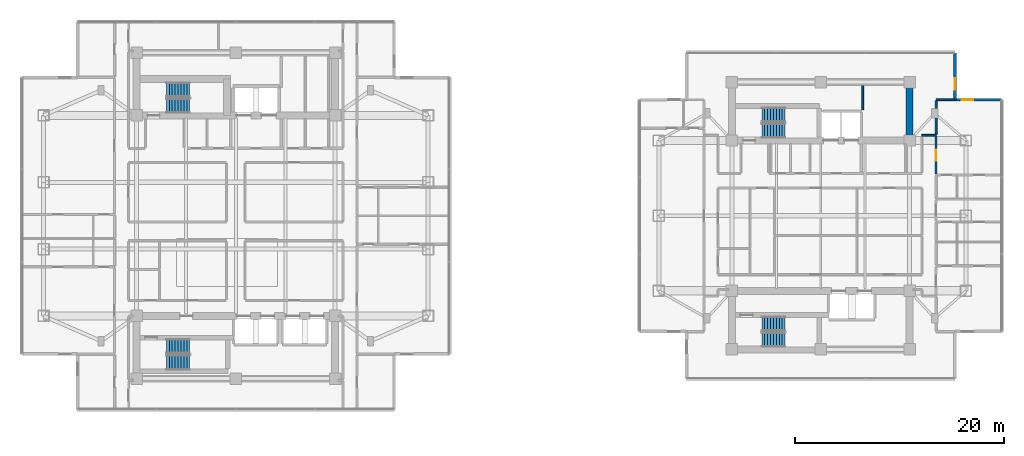
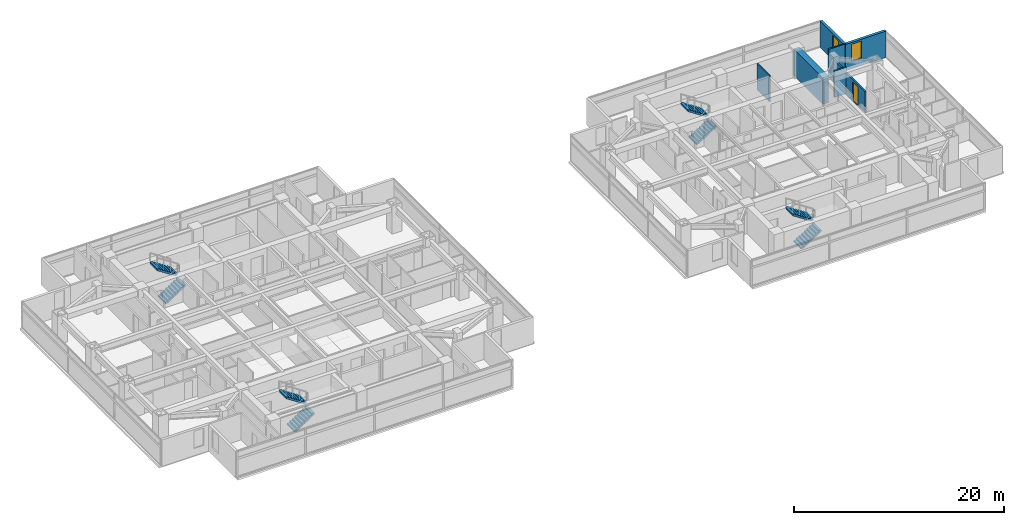
# One storey, part 20 of 27: 8 stair flights, 8 walls, 2 windows, 1 door, 3 openings, 4 elements without a shape of their own.
"""IFC4 building model written with IfcOpenShell, lengths in metres."""

from ifc_helpers import new_model, si_unit, direction, frame, frame_2d, origin, place, context, subcontext, project, spatial, polyline, rectangle, outline, extrude, material, layer, layer_set, type_object, element, fill, aggregate, save


model = new_model("IFC4")

# Units and contexts
model_context = context("Model", 3, precision=1e-05, world=origin(), true_north=direction((0.0, 1.0)))
body_context = subcontext(model_context, "Body", "Model", "MODEL_VIEW")
ifc_project = project(units=[si_unit("LENGTHUNIT", "METRE"), si_unit("AREAUNIT", "SQUARE_METRE"), si_unit("VOLUMEUNIT", "CUBIC_METRE"), si_unit("PLANEANGLEUNIT", "RADIAN"), si_unit("MASSUNIT", "GRAM", prefix="KILO")], contexts=[model_context])

# Site, building, storey
site_placement = place(None, origin())
site = spatial("IfcSite", under=ifc_project, at=site_placement, CompositionType="ELEMENT")
building_placement = place(site_placement, origin())
building = spatial("IfcBuilding", under=site, at=building_placement, Name="Mirazonda Arch Towers", CompositionType="ELEMENT")
storey_placement = place(building_placement, frame((0.0, 0.0, 124.699951171875)))
storey = spatial("IfcBuildingStorey", under=building, at=storey_placement, Name="L35", CompositionType="ELEMENT", Elevation=124.699951171875)

# Wall
ifc_material_1 = material(Name="Concrete C60/75", Category="concrete")
ifc_layer_1 = layer(ifc_material_1, 0.64990234375, Name="WALL-CORE-650")
ifc_layer_set_1 = layer_set([ifc_layer_1], Name="Concrete C60/75")
wall_type_1 = type_object("IfcWallType", Name="WALL-CORE-650", PredefinedType="SHEAR", material=ifc_layer_set_1)
wall_1_placement = place(storey_placement, frame((85.0, 35.199951171875, 0.0), z_axis=(0.0, 0.0, 1.0), x_axis=(0.0, 1.0, 0.0)))
element("IfcWall", 1, at=wall_1_placement, inside=storey, type_object=wall_type_1, Name="L35 T2N-E Core Shear Wall", PredefinedType="SHEAR", context=body_context, shape_type="SweptSolid", body=[
    extrude(rectangle(XDim=5.60009765625, YDim=0.64990234375, at=frame_2d((2.800048828125, 0.0))), origin(), (0.0, 0.0, 1.0), 3.080078125),
])

# Wall, opening, window
ifc_material_2 = material(Name="Precast Concrete C40/50", Category="concrete")
ifc_layer_2 = layer(ifc_material_2, 0.280029296875, Name="WALL-EXT-WALL-280")
ifc_layer_set_2 = layer_set([ifc_layer_2], Name="Precast Concrete C40/50")
wall_type_2 = type_object("IfcWallType", Name="WALL-EXT-WALL-280", PredefinedType="SOLIDWALL", material=ifc_layer_set_2)
wall_2_placement = place(storey_placement, frame((89.33447265625, 39.09912109375, 0.0), z_axis=(0.0, 0.0, 1.0), x_axis=(0.0, 1.0, 0.0)))
wall_2 = element("IfcWall", 2, at=wall_2_placement, inside=storey, type_object=wall_type_2, Name="L35 T2 Notched NE Corner Wall WL-L35-T2-CNE", PredefinedType="SOLIDWALL", context=body_context, shape_type="SweptSolid", body=[
    extrude(rectangle(XDim=4.486572265625, YDim=0.280029296875, at=frame_2d((2.2431640625, 0.0))), origin(), (0.0, 0.0, 1.0), 3.06005859375),
])
opening_1_placement = place(wall_2_placement, frame((0.949951171875, 0.0, 0.85009765625)))
opening_1 = element("IfcOpeningElement", 3, at=opening_1_placement, cuts=wall_2, Name="Opening WN-108", PredefinedType="OPENING", context=body_context, shape_type="SweptSolid", body=[
    extrude(rectangle(XDim=1.10009765625, YDim=2.0, at=frame_2d((0.550048828125, 1.0))), frame((0.0, 0.14990234375, 0.0), z_axis=(0.0, -1.0, 0.0), x_axis=(1.0, 0.0, 0.0)), (0.0, 0.0, 1.0), 0.300048828125),
])
ifc_material_3 = material(Name="Insulated Low-E Solar Glass", Category="glass")
window_type = type_object("IfcWindowType", Name="WIN-NOTCH-1100x2000", PartitioningType="SINGLE_PANEL", PredefinedType="WINDOW", material=ifc_material_3)
window_1_placement = place(opening_1_placement, origin())
window_1 = element("IfcWindow", 4, at=window_1_placement, inside=storey, type_object=window_type, Name="L35 Punched Facade Window WN-L35-T2-CNE", OverallHeight=2.0, OverallWidth=1.10009765625, PartitioningType="SINGLE_PANEL", PredefinedType="WINDOW", context=body_context, shape_type="SweptSolid", body=[
    extrude(rectangle(XDim=1.10009765625, YDim=2.0, at=frame_2d((0.550048828125, 1.0))), frame((0.0, 0.030029296875, 0.0), z_axis=(0.0, -1.0, 0.0), x_axis=(1.0, 0.0, 0.0)), (0.0, 0.0, 1.0), 0.06005859375),
])
fill(opening_1, window_1)

wall_3_placement = place(storey_placement, frame((93.821044921875, 39.09912109375, 0.0), z_axis=(0.0, 0.0, 1.0), x_axis=(-1.0, 0.0, 0.0)))
wall_3 = element("IfcWall", 5, at=wall_3_placement, inside=storey, type_object=wall_type_2, Name="L35 T2 Corner Notch Return Wall WL-L35-T2-CNE2", PredefinedType="SOLIDWALL", context=body_context, shape_type="SweptSolid", body=[
    extrude(rectangle(XDim=4.486572265625, YDim=0.280029296875, at=frame_2d((2.2431640625, 0.0))), origin(), (0.0, 0.0, 1.0), 3.06005859375),
])
opening_2_placement = place(wall_3_placement, frame((2.737060546875, 0.0, 0.85009765625)))
opening_2 = element("IfcOpeningElement", 6, at=opening_2_placement, cuts=wall_3, Name="Opening WN-108", PredefinedType="OPENING", context=body_context, shape_type="SweptSolid", body=[
    extrude(rectangle(XDim=1.10009765625, YDim=2.0, at=frame_2d((0.550048828125, 1.0))), frame((0.0, 0.14990234375, 0.0), z_axis=(0.0, -1.0, 0.0), x_axis=(1.0, 0.0, 0.0)), (0.0, 0.0, 1.0), 0.300048828125),
])
window_2_placement = place(opening_2_placement, origin())
window_2 = element("IfcWindow", 7, at=window_2_placement, inside=storey, type_object=window_type, Name="L35 Punched Facade Window WN-L35-T2-CNE2", OverallHeight=2.0, OverallWidth=1.10009765625, PartitioningType="SINGLE_PANEL", PredefinedType="WINDOW", context=body_context, shape_type="SweptSolid", body=[
    extrude(rectangle(XDim=1.10009765625, YDim=2.0, at=frame_2d((0.550048828125, 1.0))), frame((0.0, 0.030029296875, 0.0), z_axis=(0.0, -1.0, 0.0), x_axis=(1.0, 0.0, 0.0)), (0.0, 0.0, 1.0), 0.06005859375),
])
fill(opening_2, window_2)

# Walls
ifc_material_4 = material(Name="Fire-Rated Gypsum Stud Partition")
ifc_layer_3 = layer(ifc_material_4, 0.14990234375, Name="WALL-PART-CORR-150")
ifc_layer_set_3 = layer_set([ifc_layer_3], Name="Fire-Rated Gypsum Stud Partition")
wall_type_3 = type_object("IfcWallType", Name="WALL-PART-CORR-150", PredefinedType="PARTITIONING", material=ifc_layer_set_3)
wall_4_placement = place(storey_placement, frame((86.179931640625, 35.699951171875, 0.0), z_axis=(0.0, 0.0, 1.0), x_axis=(1.0, 0.0, 0.0)))
element("IfcWall", 8, at=wall_4_placement, inside=storey, type_object=wall_type_3, Name="L35 Interior Partition 048", PredefinedType="PARTITIONING", context=body_context, shape_type="SweptSolid", body=[
    extrude(rectangle(XDim=1.360107421875, YDim=0.14990234375, at=frame_2d((0.68017578125, 0.0))), origin(), (0.0, 0.0, 1.0), 3.080078125),
])
wall_5_placement = place(storey_placement, frame((87.5400390625, 39.09912109375, 0.0), z_axis=(0.0, 0.0, 1.0), x_axis=(1.0, 0.0, 0.0)))
element("IfcWall", 9, at=wall_5_placement, inside=storey, type_object=wall_type_3, Name="L35 Interior Partition 053", PredefinedType="PARTITIONING", context=body_context, shape_type="SweptSolid", body=[
    extrude(rectangle(XDim=1.7744140625, YDim=0.14990234375, at=frame_2d((0.88720703125, 0.0))), origin(), (0.0, 0.0, 1.0), 3.080078125),
])
wall_6_placement = place(storey_placement, frame((80.52001953125, 38.135009765625, 0.0), z_axis=(0.0, 0.0, 1.0), x_axis=(0.0, 1.0, 0.0)))
element("IfcWall", 10, at=wall_6_placement, inside=storey, type_object=wall_type_3, Name="L35 Interior Partition 138", PredefinedType="PARTITIONING", context=body_context, shape_type="SweptSolid", body=[
    extrude(rectangle(XDim=2.31494140625, YDim=0.14990234375, at=frame_2d((1.157470703125, 0.0))), origin(), (0.0, 0.0, 1.0), 3.080078125),
])

# Wall, opening, door
ifc_material_5 = material(Name="Fire-Rated Gypsum Twin-Stud Assembly")
ifc_layer_4 = layer(ifc_material_5, 0.179931640625, Name="WALL-PART-DEMISE-180")
ifc_layer_set_4 = layer_set([ifc_layer_4], Name="Fire-Rated Gypsum Twin-Stud Assembly")
wall_type_4 = type_object("IfcWallType", Name="WALL-PART-DEMISE-180", PredefinedType="PARTITIONING", material=ifc_layer_set_4)
wall_7_placement = place(storey_placement, frame((87.5400390625, 31.98095703125, 0.0), z_axis=(0.0, 0.0, 1.0), x_axis=(0.0, 1.0, 0.0)))
wall_7 = element("IfcWall", 11, at=wall_7_placement, inside=storey, type_object=wall_type_4, Name="L35 Interior Partition 151", PredefinedType="PARTITIONING", context=body_context, shape_type="SweptSolid", body=[
    extrude(rectangle(XDim=3.634033203125, YDim=0.179931640625, at=frame_2d((1.81689453125, 0.0))), origin(), (0.0, 0.0, 1.0), 2.47216796875),
])
opening_3_placement = place(wall_7_placement, frame((1.2919921875, 0.0, 0.0)))
opening_3 = element("IfcOpeningElement", 12, at=opening_3_placement, cuts=wall_7, Name="Opening DR-121", PredefinedType="OPENING", context=body_context, shape_type="SweptSolid", body=[
    extrude(rectangle(XDim=1.050048828125, YDim=2.199951171875, at=frame_2d((0.52490234375, 1.10009765625))), frame((0.0, 0.099853515625, 0.0), z_axis=(0.0, -1.0, 0.0), x_axis=(1.0, 0.0, 0.0)), (0.0, 0.0, 1.0), 0.199951171875),
])
ifc_material_6 = material(Name="Architectural Brushed Steel S355", Category="steel")
door_type = type_object("IfcDoorType", Name="DOOR-SUITE-FD60-1050", OperationType="NOTDEFINED", PredefinedType="DOOR", material=ifc_material_6)
door_placement = place(opening_3_placement, origin())
door = element("IfcDoor", 13, at=door_placement, inside=storey, type_object=door_type, Name="L35 King Hotel Guestroom 3 Door", OperationType="SINGLE_SWING_RIGHT", OverallHeight=2.199951171875, OverallWidth=1.050048828125, PredefinedType="DOOR", context=body_context, shape_type="SweptSolid", body=[
    extrude(rectangle(XDim=1.050048828125, YDim=2.199951171875, at=frame_2d((0.52490234375, 1.10009765625))), frame((0.0, 0.02490234375, 0.0), z_axis=(0.0, -1.0, 0.0), x_axis=(1.0, 0.0, 0.0)), (0.0, 0.0, 1.0), 0.050048828125),
])
fill(opening_3, door)

# Wall
wall_8_placement = place(storey_placement, frame((87.5400390625, 35.784912109375, 0.0), z_axis=(0.0, 0.0, 1.0), x_axis=(0.0, 1.0, 0.0)))
element("IfcWall", 14, at=wall_8_placement, inside=storey, type_object=wall_type_4, Name="L35 Interior Partition 152", PredefinedType="PARTITIONING", context=body_context, shape_type="SweptSolid", body=[
    extrude(rectangle(XDim=3.22900390625, YDim=0.179931640625, at=frame_2d((1.614501953125, 0.0))), origin(), (0.0, 0.0, 1.0), 2.52294921875),
])

# Stair, stair flights
ifc_material_7 = material(Name="Concrete C40/50", Category="concrete")
stair_type = type_object("IfcStairType", Name="STAIR-CORE-1400", PredefinedType="HALF_TURN_STAIR", material=ifc_material_7)
stair_1_placement = place(storey_placement, origin())
stair_1 = element("IfcStair", 15, at=stair_1_placement, inside=storey, type_object=stair_type, Name="L35 Protected Exit Stair ST-T1N", PredefinedType="HALF_TURN_STAIR")
stair_flight_type = type_object("IfcStairFlightType", Name="FLIGHT-1400", PredefinedType="STRAIGHT", material=ifc_material_7)
stair_flight_1_placement = place(storey_placement, frame((13.85009765625, 38.52001953125, 0.0), z_axis=(0.0, 0.0, 1.0), x_axis=(1.0, 0.0, 0.0)))
stair_flight_1 = element("IfcStairFlight", 16, at=stair_flight_1_placement, type_object=stair_flight_type, Name="ST-T1N flight 1", NumberOfRisers=9, NumberOfTreads=8, PredefinedType="STRAIGHT", RiserHeight=0.183333333, TreadLength=0.28, context=body_context, shape_type="SweptSolid", body=[
    extrude(outline(polyline([(0.0, 0.0), (0.0, 0.183349609375), (0.280029296875, 0.183349609375), (0.280029296875, 0.36669921875), (0.56005859375, 0.36669921875), (0.56005859375, 0.550048828125), (0.840087890625, 0.550048828125), (0.840087890625, 0.7333984375), (1.1201171875, 0.7333984375), (1.1201171875, 0.916748046875), (1.39990234375, 0.916748046875), (1.39990234375, 1.10009765625), (1.679931640625, 1.10009765625), (1.679931640625, 1.283447265625), (1.9599609375, 1.283447265625), (1.9599609375, 1.466552734375), (2.239990234375, 1.466552734375), (2.239990234375, 1.64990234375), (2.239990234375, 1.275634765625), (0.2919921875, 0.0), (0.0, 0.0)])), frame((0.0, 0.699951171875, 0.0), z_axis=(0.0, -1.0, 0.0), x_axis=(1.0, 0.0, 0.0)), (0.0, 0.0, 1.0), 1.39990234375),
])
stair_flight_2_placement = place(storey_placement, frame((16.090087890625, 40.06005859375, 1.650146484375), z_axis=(0.0, 0.0, 1.0), x_axis=(-1.0, 0.0, 0.0)))
stair_flight_2 = element("IfcStairFlight", 17, at=stair_flight_2_placement, type_object=stair_flight_type, Name="ST-T1N flight 2", NumberOfRisers=9, NumberOfTreads=8, PredefinedType="STRAIGHT", RiserHeight=0.183333333, TreadLength=0.28, context=body_context, shape_type="SweptSolid", body=[
    extrude(outline(polyline([(0.0, 0.0), (0.0, 0.183349609375), (0.280029296875, 0.183349609375), (0.280029296875, 0.36669921875), (0.56005859375, 0.36669921875), (0.56005859375, 0.550048828125), (0.840087890625, 0.550048828125), (0.840087890625, 0.7333984375), (1.1201171875, 0.7333984375), (1.1201171875, 0.916748046875), (1.39990234375, 0.916748046875), (1.39990234375, 1.10009765625), (1.679931640625, 1.10009765625), (1.679931640625, 1.283447265625), (1.9599609375, 1.283447265625), (1.9599609375, 1.466552734375), (2.239990234375, 1.466552734375), (2.239990234375, 1.64990234375), (2.239990234375, 1.275634765625), (0.2919921875, 0.0), (0.0, 0.0)])), frame((0.0, 0.699951171875, 0.0), z_axis=(0.0, -1.0, 0.0), x_axis=(1.0, 0.0, 0.0)), (0.0, 0.0, 1.0), 1.39990234375),
])
aggregate(stair_1, [stair_flight_1, stair_flight_2])

stair_2_placement = place(storey_placement, origin())
stair_2 = element("IfcStair", 18, at=stair_2_placement, inside=storey, type_object=stair_type, Name="L35 Protected Exit Stair ST-T1S", PredefinedType="HALF_TURN_STAIR")
stair_flight_3_placement = place(storey_placement, frame((13.85009765625, 13.949951171875, 0.0), z_axis=(0.0, 0.0, 1.0), x_axis=(1.0, 0.0, 0.0)))
stair_flight_3 = element("IfcStairFlight", 19, at=stair_flight_3_placement, type_object=stair_flight_type, Name="ST-T1S flight 1", NumberOfRisers=9, NumberOfTreads=8, PredefinedType="STRAIGHT", RiserHeight=0.183333333, TreadLength=0.28, context=body_context, shape_type="SweptSolid", body=[
    extrude(outline(polyline([(0.0, 0.0), (0.0, 0.183349609375), (0.280029296875, 0.183349609375), (0.280029296875, 0.36669921875), (0.56005859375, 0.36669921875), (0.56005859375, 0.550048828125), (0.840087890625, 0.550048828125), (0.840087890625, 0.7333984375), (1.1201171875, 0.7333984375), (1.1201171875, 0.916748046875), (1.39990234375, 0.916748046875), (1.39990234375, 1.10009765625), (1.679931640625, 1.10009765625), (1.679931640625, 1.283447265625), (1.9599609375, 1.283447265625), (1.9599609375, 1.466552734375), (2.239990234375, 1.466552734375), (2.239990234375, 1.64990234375), (2.239990234375, 1.275634765625), (0.2919921875, 0.0), (0.0, 0.0)])), frame((0.0, 0.699951171875, 0.0), z_axis=(0.0, -1.0, 0.0), x_axis=(1.0, 0.0, 0.0)), (0.0, 0.0, 1.0), 1.39990234375),
])
stair_flight_4_placement = place(storey_placement, frame((16.090087890625, 15.489990234375, 1.650146484375), z_axis=(0.0, 0.0, 1.0), x_axis=(-1.0, 0.0, 0.0)))
stair_flight_4 = element("IfcStairFlight", 20, at=stair_flight_4_placement, type_object=stair_flight_type, Name="ST-T1S flight 2", NumberOfRisers=9, NumberOfTreads=8, PredefinedType="STRAIGHT", RiserHeight=0.183333333, TreadLength=0.28, context=body_context, shape_type="SweptSolid", body=[
    extrude(outline(polyline([(0.0, 0.0), (0.0, 0.183349609375), (0.280029296875, 0.183349609375), (0.280029296875, 0.36669921875), (0.56005859375, 0.36669921875), (0.56005859375, 0.550048828125), (0.840087890625, 0.550048828125), (0.840087890625, 0.7333984375), (1.1201171875, 0.7333984375), (1.1201171875, 0.916748046875), (1.39990234375, 0.916748046875), (1.39990234375, 1.10009765625), (1.679931640625, 1.10009765625), (1.679931640625, 1.283447265625), (1.9599609375, 1.283447265625), (1.9599609375, 1.466552734375), (2.239990234375, 1.466552734375), (2.239990234375, 1.64990234375), (2.239990234375, 1.275634765625), (0.2919921875, 0.0), (0.0, 0.0)])), frame((0.0, 0.699951171875, 0.0), z_axis=(0.0, -1.0, 0.0), x_axis=(1.0, 0.0, 0.0)), (0.0, 0.0, 1.0), 1.39990234375),
])
aggregate(stair_2, [stair_flight_3, stair_flight_4])

stair_3_placement = place(storey_placement, origin())
stair_3 = element("IfcStair", 21, at=stair_3_placement, inside=storey, type_object=stair_type, Name="L35 Protected Exit Stair ST-T2N", PredefinedType="HALF_TURN_STAIR")
stair_flight_5_placement = place(storey_placement, frame((70.85009765625, 36.1201171875, 0.0), z_axis=(0.0, 0.0, 1.0), x_axis=(1.0, 0.0, 0.0)))
stair_flight_5 = element("IfcStairFlight", 22, at=stair_flight_5_placement, type_object=stair_flight_type, Name="ST-T2N flight 1", NumberOfRisers=9, NumberOfTreads=8, PredefinedType="STRAIGHT", RiserHeight=0.183333333, TreadLength=0.28, context=body_context, shape_type="SweptSolid", body=[
    extrude(outline(polyline([(0.0, 0.0), (0.0, 0.183349609375), (0.280029296875, 0.183349609375), (0.280029296875, 0.36669921875), (0.56005859375, 0.36669921875), (0.56005859375, 0.550048828125), (0.840087890625, 0.550048828125), (0.840087890625, 0.7333984375), (1.1201171875, 0.7333984375), (1.1201171875, 0.916748046875), (1.39990234375, 0.916748046875), (1.39990234375, 1.10009765625), (1.679931640625, 1.10009765625), (1.679931640625, 1.283447265625), (1.9599609375, 1.283447265625), (1.9599609375, 1.466552734375), (2.239990234375, 1.466552734375), (2.239990234375, 1.64990234375), (2.239990234375, 1.275634765625), (0.2919921875, 0.0), (0.0, 0.0)])), frame((0.0, 0.699951171875, 0.0), z_axis=(0.0, -1.0, 0.0), x_axis=(1.0, 0.0, 0.0)), (0.0, 0.0, 1.0), 1.39990234375),
])
stair_flight_6_placement = place(storey_placement, frame((73.090087890625, 37.659912109375, 1.650146484375), z_axis=(0.0, 0.0, 1.0), x_axis=(-1.0, 0.0, 0.0)))
stair_flight_6 = element("IfcStairFlight", 23, at=stair_flight_6_placement, type_object=stair_flight_type, Name="ST-T2N flight 2", NumberOfRisers=9, NumberOfTreads=8, PredefinedType="STRAIGHT", RiserHeight=0.183333333, TreadLength=0.28, context=body_context, shape_type="SweptSolid", body=[
    extrude(outline(polyline([(0.0, 0.0), (0.0, 0.183349609375), (0.280029296875, 0.183349609375), (0.280029296875, 0.36669921875), (0.56005859375, 0.36669921875), (0.56005859375, 0.550048828125), (0.840087890625, 0.550048828125), (0.840087890625, 0.7333984375), (1.1201171875, 0.7333984375), (1.1201171875, 0.916748046875), (1.39990234375, 0.916748046875), (1.39990234375, 1.10009765625), (1.679931640625, 1.10009765625), (1.679931640625, 1.283447265625), (1.9599609375, 1.283447265625), (1.9599609375, 1.466552734375), (2.239990234375, 1.466552734375), (2.239990234375, 1.64990234375), (2.239990234375, 1.275634765625), (0.2919921875, 0.0), (0.0, 0.0)])), frame((0.0, 0.699951171875, 0.0), z_axis=(0.0, -1.0, 0.0), x_axis=(1.0, 0.0, 0.0)), (0.0, 0.0, 1.0), 1.39990234375),
])
aggregate(stair_3, [stair_flight_5, stair_flight_6])

stair_4_placement = place(storey_placement, origin())
stair_4 = element("IfcStair", 24, at=stair_4_placement, inside=storey, type_object=stair_type, Name="L35 Protected Exit Stair ST-T2S", PredefinedType="HALF_TURN_STAIR")
stair_flight_7_placement = place(storey_placement, frame((70.85009765625, 16.1201171875, 0.0), z_axis=(0.0, 0.0, 1.0), x_axis=(1.0, 0.0, 0.0)))
stair_flight_7 = element("IfcStairFlight", 25, at=stair_flight_7_placement, type_object=stair_flight_type, Name="ST-T2S flight 1", NumberOfRisers=9, NumberOfTreads=8, PredefinedType="STRAIGHT", RiserHeight=0.183333333, TreadLength=0.28, context=body_context, shape_type="SweptSolid", body=[
    extrude(outline(polyline([(0.0, 0.0), (0.0, 0.183349609375), (0.280029296875, 0.183349609375), (0.280029296875, 0.36669921875), (0.56005859375, 0.36669921875), (0.56005859375, 0.550048828125), (0.840087890625, 0.550048828125), (0.840087890625, 0.7333984375), (1.1201171875, 0.7333984375), (1.1201171875, 0.916748046875), (1.39990234375, 0.916748046875), (1.39990234375, 1.10009765625), (1.679931640625, 1.10009765625), (1.679931640625, 1.283447265625), (1.9599609375, 1.283447265625), (1.9599609375, 1.466552734375), (2.239990234375, 1.466552734375), (2.239990234375, 1.64990234375), (2.239990234375, 1.275634765625), (0.2919921875, 0.0), (0.0, 0.0)])), frame((0.0, 0.699951171875, 0.0), z_axis=(0.0, -1.0, 0.0), x_axis=(1.0, 0.0, 0.0)), (0.0, 0.0, 1.0), 1.39990234375),
])
stair_flight_8_placement = place(storey_placement, frame((73.090087890625, 17.659912109375, 1.650146484375), z_axis=(0.0, 0.0, 1.0), x_axis=(-1.0, 0.0, 0.0)))
stair_flight_8 = element("IfcStairFlight", 26, at=stair_flight_8_placement, type_object=stair_flight_type, Name="ST-T2S flight 2", NumberOfRisers=9, NumberOfTreads=8, PredefinedType="STRAIGHT", RiserHeight=0.183333333, TreadLength=0.28, context=body_context, shape_type="SweptSolid", body=[
    extrude(outline(polyline([(0.0, 0.0), (0.0, 0.183349609375), (0.280029296875, 0.183349609375), (0.280029296875, 0.36669921875), (0.56005859375, 0.36669921875), (0.56005859375, 0.550048828125), (0.840087890625, 0.550048828125), (0.840087890625, 0.7333984375), (1.1201171875, 0.7333984375), (1.1201171875, 0.916748046875), (1.39990234375, 0.916748046875), (1.39990234375, 1.10009765625), (1.679931640625, 1.10009765625), (1.679931640625, 1.283447265625), (1.9599609375, 1.283447265625), (1.9599609375, 1.466552734375), (2.239990234375, 1.466552734375), (2.239990234375, 1.64990234375), (2.239990234375, 1.275634765625), (0.2919921875, 0.0), (0.0, 0.0)])), frame((0.0, 0.699951171875, 0.0), z_axis=(0.0, -1.0, 0.0), x_axis=(1.0, 0.0, 0.0)), (0.0, 0.0, 1.0), 1.39990234375),
])
aggregate(stair_4, [stair_flight_7, stair_flight_8])

save(model, "model.ifc")
